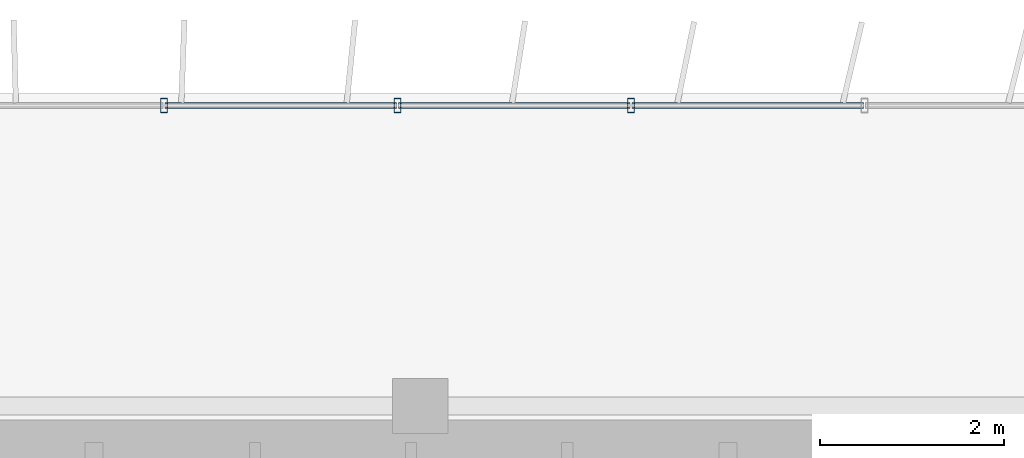
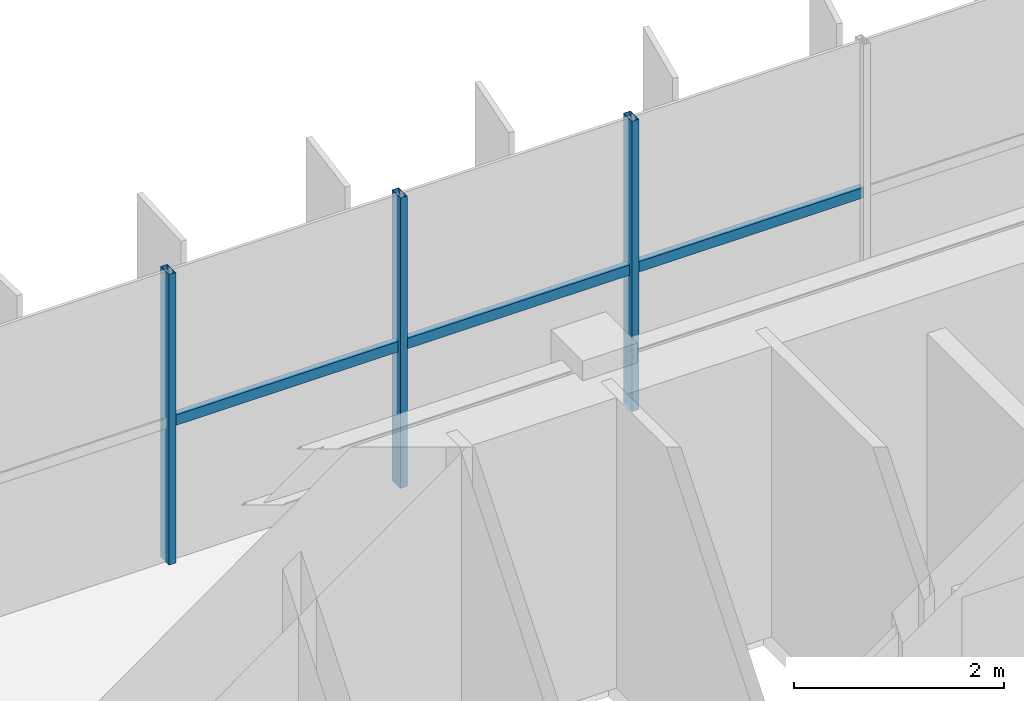
# One storey, part 11 of 22: 6 members, 1 element without a shape of its own.
"""IFC4 building model written with IfcOpenShell, lengths in metres."""

from ifc_helpers import new_model, si_unit, direction, frame, origin, origin_2d, place, context, subcontext, project, spatial, hollow_rectangle, extrude, source, transform, mapped, material, material_profile, profile_set, type_object, element, aggregate, save


model = new_model("IFC4")

# Units and contexts
model_context = context("Model", 3, precision=1e-05, world=origin(), true_north=direction((0.0, 1.0)))
body_context = subcontext(model_context, "Body", "Model", "MODEL_VIEW")
ifc_project = project(units=[si_unit("LENGTHUNIT", "METRE"), si_unit("AREAUNIT", "SQUARE_METRE"), si_unit("VOLUMEUNIT", "CUBIC_METRE"), si_unit("PLANEANGLEUNIT", "RADIAN"), si_unit("MASSUNIT", "GRAM", prefix="KILO")], contexts=[model_context])

# Site, building, storey
site_placement = place(None, origin())
site = spatial("IfcSite", under=ifc_project, at=site_placement, CompositionType="ELEMENT")
building_placement = place(site_placement, origin())
building = spatial("IfcBuilding", under=site, at=building_placement, Name="Trelvane Seafront Commons", CompositionType="ELEMENT")
storey_placement = place(building_placement, frame((0.0, 0.0, 284.699951171875)))
storey = spatial("IfcBuildingStorey", under=building, at=storey_placement, Name="L74", CompositionType="ELEMENT", Elevation=284.699951171875)

# Curtain wall, members
ifc_material = material(Name="Anodised pale-silver aluminium", Category="aluminium")
curtain_wall_type = type_object("IfcCurtainWallType", Name="ARCH-CW5-UPTOWER", PredefinedType="NOTDEFINED", material=ifc_material)
curtain_wall_placement = place(storey_placement, origin())
curtain_wall = element("IfcCurtainWall", 1, at=curtain_wall_placement, inside=storey, type_object=curtain_wall_type, Name="CW-L74-0118", PredefinedType="NOTDEFINED")
ifc_material_profile_1 = material_profile(ifc_material, hollow_rectangle(XDim=0.070068359375, YDim=0.1201171875, WallThickness=0.00390625, at=origin_2d()), Name="TRAN-70x120x4")
ifc_profile_set_1 = profile_set([ifc_material_profile_1], Name="Anodised pale-silver aluminium")
member_type_1 = type_object("IfcMemberType", Name="ARCH-CW-TRAN-120", PredefinedType="USERDEFINED", material=ifc_profile_set_1)
shared_shape_1 = source(origin(), body_context, "Body", "SweptSolid", [
    extrude(hollow_rectangle(XDim=0.070068359375, YDim=0.1201171875, WallThickness=0.00390625, at=origin_2d()), origin(), (0.0, 0.0, 1.0), 2.51708984375),
])
member_1_placement = place(storey_placement, frame((43.56494140625, 48.3701171875, 1.6181640625), z_axis=(1.0, 0.0, 0.0), x_axis=(0.0, 1.0, 0.0)))
member_1 = element("IfcMember", 2, at=member_1_placement, type_object=member_type_1, Name="CW-L74-0118-T11", ObjectType="TRANSOM", PredefinedType="USERDEFINED", context=body_context, shape_type="MappedRepresentation", body=[
    mapped(shared_shape_1, transform((0.0, 0.0, 0.0), x_axis=(1.0, 0.0, 0.0), y_axis=(0.0, 1.0, 0.0), z_axis=(0.0, 0.0, 1.0), scale=1.0)),
])
member_2_placement = place(storey_placement, frame((46.106201171875, 48.3701171875, 1.6181640625), z_axis=(1.0, 0.0, 0.0), x_axis=(0.0, 1.0, 0.0)))
member_2 = element("IfcMember", 3, at=member_2_placement, type_object=member_type_1, Name="CW-L74-0118-T12", ObjectType="TRANSOM", PredefinedType="USERDEFINED", context=body_context, shape_type="MappedRepresentation", body=[
    mapped(shared_shape_1, transform((0.0, 0.0, 0.0), x_axis=(1.0, 0.0, 0.0), y_axis=(0.0, 1.0, 0.0), z_axis=(0.0, 0.0, 1.0), scale=1.0)),
])
shared_shape_2 = source(origin(), body_context, "Body", "SweptSolid", [
    extrude(hollow_rectangle(XDim=0.070068359375, YDim=0.1201171875, WallThickness=0.00390625, at=origin_2d()), origin(), (0.0, 0.0, 1.0), 2.517333984375),
])
member_3_placement = place(storey_placement, frame((41.023681640625, 48.3701171875, 1.6181640625), z_axis=(1.0, 0.0, 0.0), x_axis=(0.0, 1.0, 0.0)))
member_3 = element("IfcMember", 4, at=member_3_placement, type_object=member_type_1, Name="CW-L74-0118-T10", ObjectType="TRANSOM", PredefinedType="USERDEFINED", context=body_context, shape_type="MappedRepresentation", body=[
    mapped(shared_shape_2, transform((0.0, 0.0, 0.0), x_axis=(1.0, 0.0, 0.0), y_axis=(0.0, 1.0, 0.0), z_axis=(0.0, 0.0, 1.0), scale=1.0)),
])
ifc_material_profile_2 = material_profile(ifc_material, hollow_rectangle(XDim=0.074951171875, YDim=0.159912109375, WallThickness=0.00390625, at=origin_2d()), Name="MULL-75x160x4")
ifc_profile_set_2 = profile_set([ifc_material_profile_2], Name="Anodised pale-silver aluminium")
member_type_2 = type_object("IfcMemberType", Name="ARCH-CW-MULL-160", PredefinedType="MULLION", material=ifc_profile_set_2)
shared_shape_3 = source(origin(), body_context, "Body", "SweptSolid", [
    extrude(hollow_rectangle(XDim=0.074951171875, YDim=0.159912109375, WallThickness=0.00390625, at=origin_2d()), origin(), (0.0, 0.0, 1.0), 3.3701171875),
])
member_4_placement = place(storey_placement, frame((41.01171875, 48.3701171875, 0.0), z_axis=(0.0, 0.0, 1.0), x_axis=(1.0, 0.0, 0.0)))
member_4 = element("IfcMember", 5, at=member_4_placement, type_object=member_type_2, Name="CW-L74-0118-M10", PredefinedType="MULLION", context=body_context, shape_type="MappedRepresentation", body=[
    mapped(shared_shape_3, transform((0.0, 0.0, 0.0), x_axis=(1.0, 0.0, 0.0), y_axis=(0.0, 1.0, 0.0), z_axis=(0.0, 0.0, 1.0), scale=1.0)),
])
member_5_placement = place(storey_placement, frame((43.552978515625, 48.3701171875, 0.0), z_axis=(0.0, 0.0, 1.0), x_axis=(1.0, 0.0, 0.0)))
member_5 = element("IfcMember", 6, at=member_5_placement, type_object=member_type_2, Name="CW-L74-0118-M11", PredefinedType="MULLION", context=body_context, shape_type="MappedRepresentation", body=[
    mapped(shared_shape_3, transform((0.0, 0.0, 0.0), x_axis=(1.0, 0.0, 0.0), y_axis=(0.0, 1.0, 0.0), z_axis=(0.0, 0.0, 1.0), scale=1.0)),
])
member_6_placement = place(storey_placement, frame((46.093994140625, 48.3701171875, 0.0), z_axis=(0.0, 0.0, 1.0), x_axis=(1.0, 0.0, 0.0)))
member_6 = element("IfcMember", 7, at=member_6_placement, type_object=member_type_2, Name="CW-L74-0118-M12", PredefinedType="MULLION", context=body_context, shape_type="MappedRepresentation", body=[
    mapped(shared_shape_3, transform((0.0, 0.0, 0.0), x_axis=(1.0, 0.0, 0.0), y_axis=(0.0, 1.0, 0.0), z_axis=(0.0, 0.0, 1.0), scale=1.0)),
])
aggregate(curtain_wall, [member_4, member_5, member_6, member_3, member_1, member_2])

save(model, "model.ifc")
